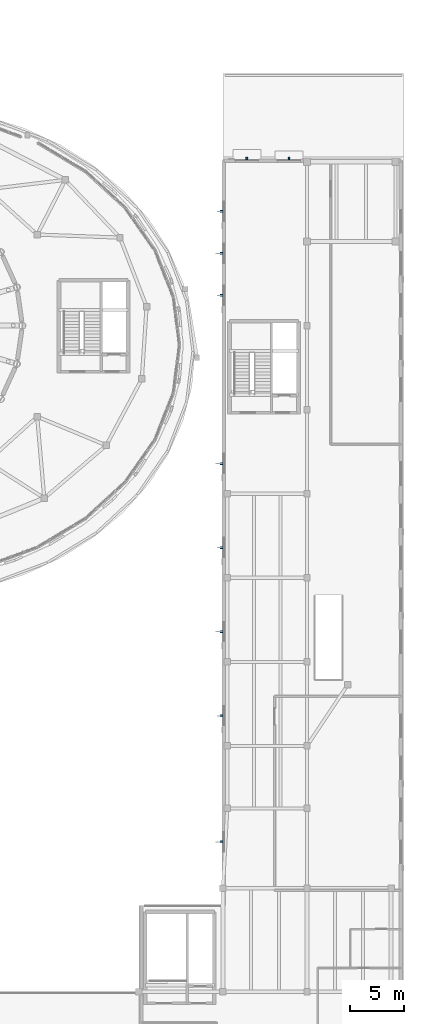
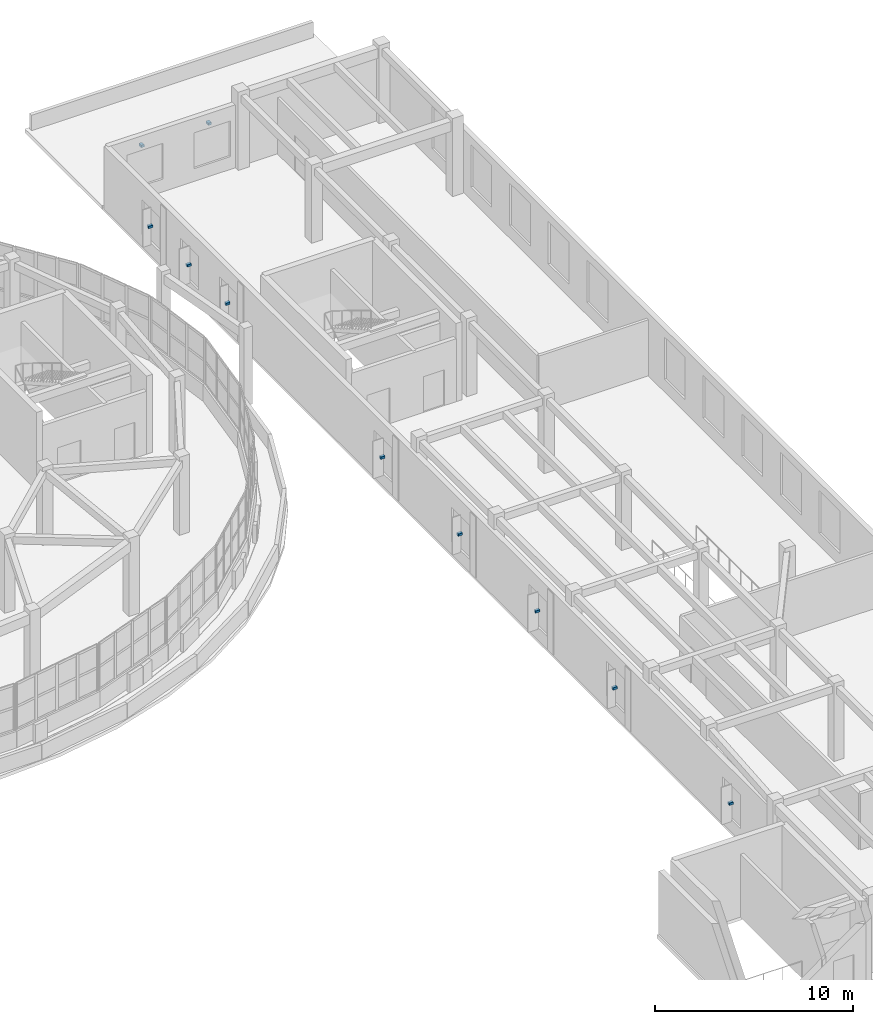
# One storey, part 65 of 69: 10 discrete accessories.
"""IFC4 building model written with IfcOpenShell, lengths in metres."""

from ifc_helpers import new_model, si_unit, direction, frame, origin, origin_2d, place, context, subcontext, project, spatial, rectangle, extrude, material, type_object, element, save


model = new_model("IFC4")

# Units and contexts
model_context = context("Model", 3, precision=1e-05, world=origin(), true_north=direction((0.0, 1.0)))
body_context = subcontext(model_context, "Body", "Model", "MODEL_VIEW")
ifc_project = project(units=[si_unit("LENGTHUNIT", "METRE"), si_unit("AREAUNIT", "SQUARE_METRE"), si_unit("VOLUMEUNIT", "CUBIC_METRE"), si_unit("PLANEANGLEUNIT", "RADIAN"), si_unit("MASSUNIT", "GRAM", prefix="KILO")], contexts=[model_context])

# Site, building, storey
site_placement = place(None, origin())
site = spatial("IfcSite", under=ifc_project, at=site_placement, CompositionType="ELEMENT")
building_placement = place(site_placement, origin())
building = spatial("IfcBuilding", under=site, at=building_placement, Name="Pelvatis Terrace Science Centre", CompositionType="ELEMENT")
storey_placement = place(building_placement, frame((0.0, 0.0, 15.0)))
storey = spatial("IfcBuildingStorey", under=building, at=storey_placement, Name="L03", CompositionType="ELEMENT", Elevation=15.0)

# Discrete accessories
ifc_material = material(Name="Structural steel S355", Category="steel")
discrete_accessory_type = type_object("IfcDiscreteAccessoryType", Name="BRK-STL-01", PredefinedType="BRACKET", material=ifc_material)
for number, where, name in (
    (1, (142.6298828125, 101.3076171875, 2.949951171875), "Facade shading bracket BRK-WIN-L03-114"),
    (2, (146.530029296875, 101.3076171875, 2.949951171875), "Facade shading bracket BRK-WIN-L03-115"),
):
    element("IfcDiscreteAccessory", number, at=place(storey_placement, frame(where)), inside=storey, type_object=discrete_accessory_type, Name=name, PredefinedType="BRACKET", context=body_context, shape_type="SweptSolid", body=[
        extrude(rectangle(XDim=0.18, YDim=0.24, at=origin_2d()), origin(), (0.0, 0.0, 1.0), 0.139892578125),
    ])
for number, where, name in (
    (3, (140.2724609375, 37.89990234375, 1.760009765625), "Facade shading bracket BRK-WIN-L03-116"),
    (4, (140.2724609375, 49.60009765625, 1.760009765625), "Facade shading bracket BRK-WIN-L03-117"),
    (5, (140.2724609375, 57.39990234375, 1.760009765625), "Facade shading bracket BRK-WIN-L03-118"),
    (6, (140.2724609375, 65.199951171875, 1.760009765625), "Facade shading bracket BRK-WIN-L03-119"),
    (7, (140.2724609375, 73.0, 1.760009765625), "Facade shading bracket BRK-WIN-L03-120"),
    (8, (140.2724609375, 88.60009765625, 1.760009765625), "Facade shading bracket BRK-WIN-L03-121"),
    (9, (140.2724609375, 92.5, 1.760009765625), "Facade shading bracket BRK-WIN-L03-122"),
    (10, (140.2724609375, 96.39990234375, 1.760009765625), "Facade shading bracket BRK-WIN-L03-123"),
):
    element("IfcDiscreteAccessory", number, at=place(storey_placement, frame(where)), inside=storey, type_object=discrete_accessory_type, Name=name, PredefinedType="BRACKET", context=body_context, shape_type="SweptSolid", body=[
        extrude(rectangle(XDim=0.24, YDim=0.18, at=origin_2d()), origin(), (0.0, 0.0, 1.0), 0.139892578125),
    ])

save(model, "model.ifc")
